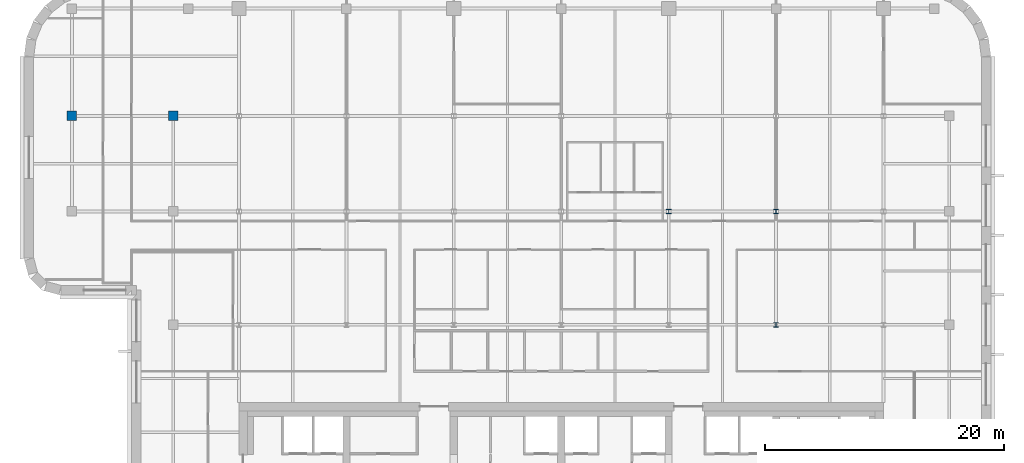
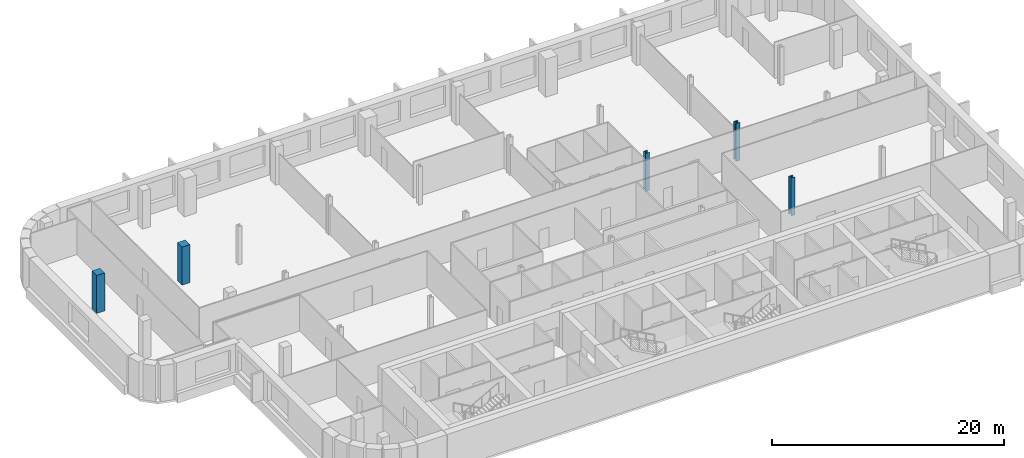
# One storey, part 2 of 16: 5 columns.
"""IFC4 building model written with IfcOpenShell, lengths in metres."""

from ifc_helpers import new_model, si_unit, direction, frame, origin, origin_2d, place, context, subcontext, project, spatial, rectangle, i_section, extrude, material, material_profile, profile_set, type_object, element, save


model = new_model("IFC4")

# Units and contexts
model_context = context("Model", 3, precision=1e-05, world=origin(), true_north=direction((0.0, 1.0)))
body_context = subcontext(model_context, "Body", "Model", "MODEL_VIEW")
ifc_project = project(units=[si_unit("LENGTHUNIT", "METRE"), si_unit("AREAUNIT", "SQUARE_METRE"), si_unit("VOLUMEUNIT", "CUBIC_METRE"), si_unit("PLANEANGLEUNIT", "RADIAN"), si_unit("MASSUNIT", "GRAM", prefix="KILO")], contexts=[model_context])

# Site, building, storey
site_placement = place(None, origin())
site = spatial("IfcSite", under=ifc_project, at=site_placement, CompositionType="ELEMENT")
building_placement = place(site_placement, origin())
building = spatial("IfcBuilding", under=site, at=building_placement, Name="Zellij Exchange Tower", CompositionType="ELEMENT")
storey_placement = place(building_placement, frame((0.0, 0.0, 248.5)))
storey = spatial("IfcBuildingStorey", under=building, at=storey_placement, Name="L58", CompositionType="ELEMENT", Elevation=248.5)

# Columns
ifc_material_1 = material(Name="Concrete C50/60", Category="concrete")
ifc_material_profile_1 = material_profile(ifc_material_1, rectangle(XDim=0.800048828125, YDim=0.800048828125, at=origin_2d()), Name="STR-COLUMN RC800x800 C50/60")
ifc_profile_set_1 = profile_set([ifc_material_profile_1], Name="Concrete C50/60")
column_type_1 = type_object("IfcColumnType", Name="STR-COLUMN RC800x800 C50/60", PredefinedType="COLUMN", material=ifc_profile_set_1)
for number, where, z_axis, x_axis, name in (
    (1, (-41.0, 22.0, 0.0), (0.0, 0.0, 1.0), (1.0, 0.0, 0.0), "C15"),
    (2, (-32.5, 22.0, 0.0), (0.0, 0.0, 1.0), (1.0, 0.0, 0.0), "C15"),
):
    element("IfcColumn", number, at=place(storey_placement, frame(where, z_axis=z_axis, x_axis=x_axis)), inside=storey, type_object=column_type_1, Name=name, PredefinedType="COLUMN", context=body_context, shape_type="SweptSolid", body=[
        extrude(rectangle(XDim=0.800048828125, YDim=0.800048828125, at=origin_2d()), origin(), (0.0, 0.0, 1.0), 4.0),
    ])
ifc_material_2 = material(Name="Structural steel ASTM A992 Gr 50", Category="steel")
ifc_material_profile_2 = material_profile(ifc_material_2, i_section(OverallWidth=0.398681640625, OverallDepth=0.385986328125, WebThickness=0.02099609375, FlangeThickness=0.033203125, at=origin_2d()), Name="W14x176")
ifc_profile_set_2 = profile_set([ifc_material_profile_2], Name="Structural steel ASTM A992 Gr 50")
column_type_2 = type_object("IfcColumnType", Name="STR-COLUMN W14x176", PredefinedType="COLUMN", material=ifc_profile_set_2)
for number, where, z_axis, x_axis, name in (
    (3, (18.0, 4.5, 0.0), (0.0, 0.0, 1.0), (1.0, 0.0, 0.0), "C2"),
    (4, (9.0, 14.0, 0.0), (0.0, 0.0, 1.0), (1.0, 0.0, 0.0), "C2"),
    (5, (18.0, 14.0, 0.0), (0.0, 0.0, 1.0), (1.0, 0.0, 0.0), "C2"),
):
    element("IfcColumn", number, at=place(storey_placement, frame(where, z_axis=z_axis, x_axis=x_axis)), inside=storey, type_object=column_type_2, Name=name, PredefinedType="COLUMN", context=body_context, shape_type="SweptSolid", body=[
        extrude(i_section(OverallWidth=0.398681640625, OverallDepth=0.385986328125, WebThickness=0.02099609375, FlangeThickness=0.033203125, at=origin_2d()), origin(), (0.0, 0.0, 1.0), 4.0),
    ])

save(model, "model.ifc")
